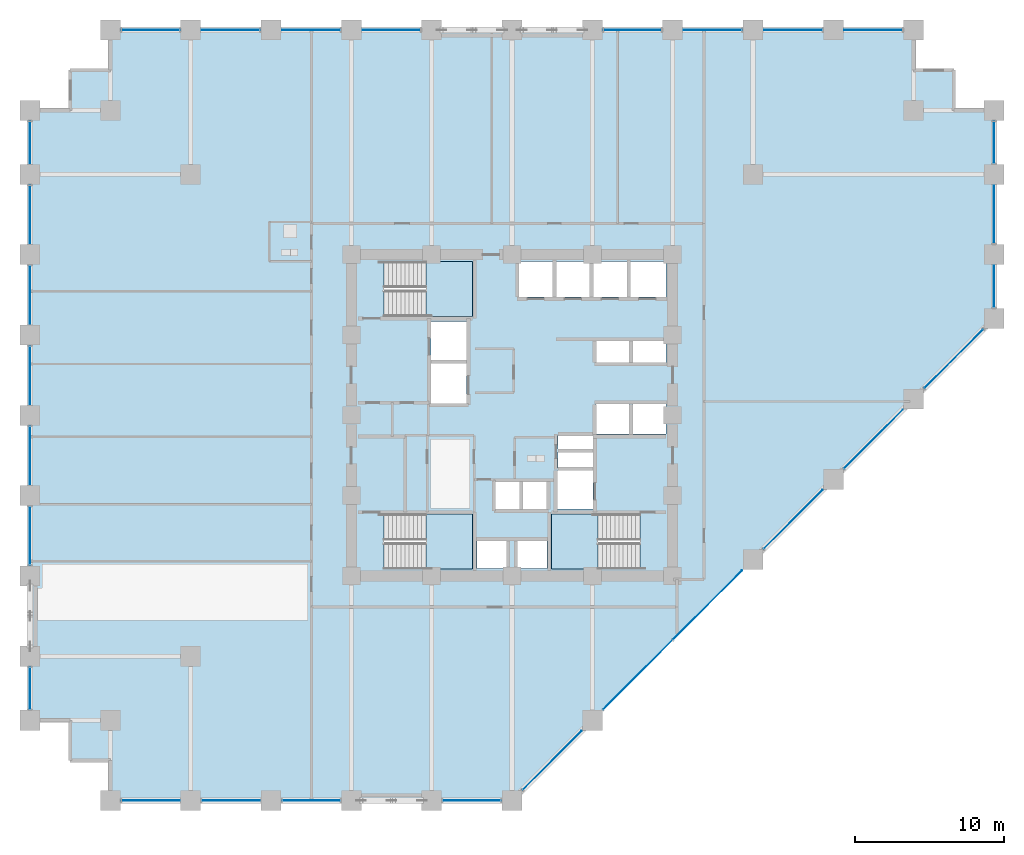
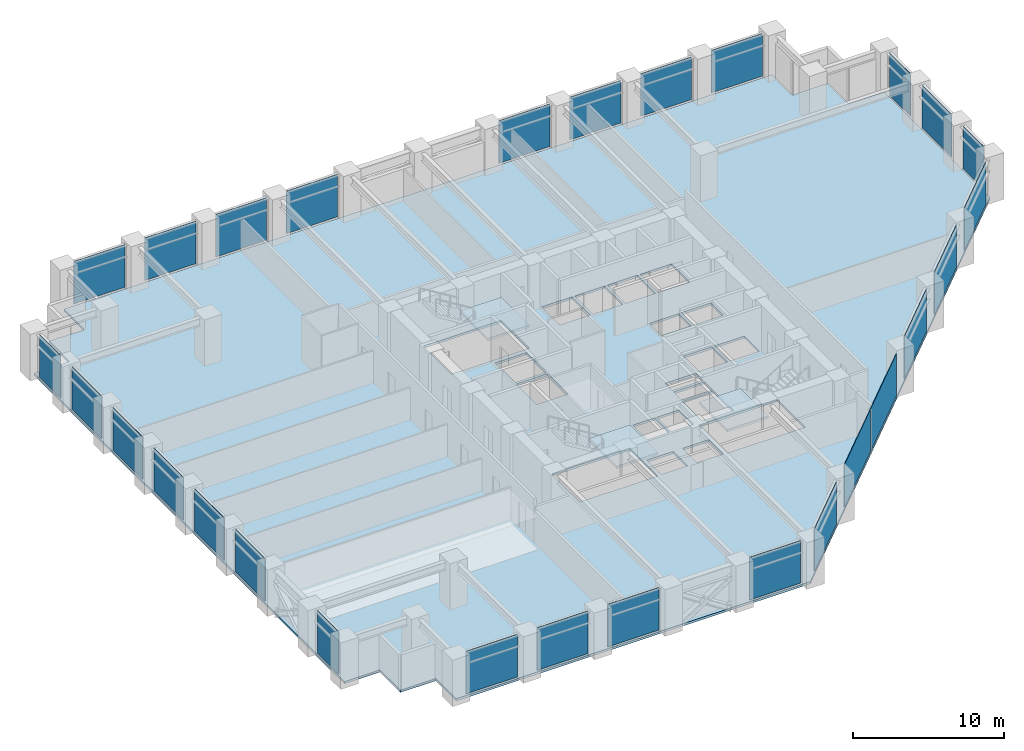
# One storey, part 18 of 25: 28 plates, 4 slabs, 11 elements without a shape of their own.
"""IFC4 building model written with IfcOpenShell, lengths in metres."""

from ifc_helpers import new_model, si_unit, direction, frame, frame_2d, origin, place, context, subcontext, project, spatial, polyline, rectangle, outline, extrude, material, layer, layer_set, type_object, element, aggregate, save


model = new_model("IFC4")

# Units and contexts
model_context = context("Model", 3, precision=1e-05, world=origin(), true_north=direction((0.0, 1.0)))
body_context = subcontext(model_context, "Body", "Model", "MODEL_VIEW")
ifc_project = project(units=[si_unit("LENGTHUNIT", "METRE"), si_unit("AREAUNIT", "SQUARE_METRE"), si_unit("VOLUMEUNIT", "CUBIC_METRE"), si_unit("PLANEANGLEUNIT", "RADIAN"), si_unit("MASSUNIT", "GRAM", prefix="KILO")], contexts=[model_context])

# Site, building, storey
site_placement = place(None, origin())
site = spatial("IfcSite", under=ifc_project, at=site_placement, CompositionType="ELEMENT")
building_placement = place(site_placement, origin())
building = spatial("IfcBuilding", under=site, at=building_placement, Name="Surkhivell Harbour Commons", CompositionType="ELEMENT")
storey_placement = place(building_placement, frame((0.0, 0.0, 33.75)))
storey = spatial("IfcBuildingStorey", under=building, at=storey_placement, Name="L08", CompositionType="ELEMENT", Elevation=33.75)

# Curtain wall, plates
ifc_material_1 = material(Name="Anodised pale-metal aluminium and insulated glazing", Category="aluminium")
ifc_layer_1 = layer(ifc_material_1, 0.219970703125)
ifc_layer_set_1 = layer_set([ifc_layer_1], Name="Anodised pale-metal aluminium and insulated glazing")
curtain_wall_type = type_object("IfcCurtainWallType", Name="CW-SYS-Z1", PredefinedType="NOTDEFINED", material=ifc_layer_set_1)
curtain_wall_1_placement = place(storey_placement, origin())
curtain_wall_1 = element("IfcCurtainWall", 1, at=curtain_wall_1_placement, inside=storey, type_object=curtain_wall_type, Name="L08 Curtain Wall CW-L08-E00S1", PredefinedType="NOTDEFINED")
ifc_material_2 = material(Name="Double-silver low-E laminated vision glass", Category="glass")
ifc_layer_2 = layer(ifc_material_2, 0.031982421875)
ifc_layer_set_2 = layer_set([ifc_layer_2], Name="Double-silver low-E laminated vision glass")
plate_type = type_object("IfcPlateType", Name="CWP-GLZ-32", PredefinedType="CURTAIN_PANEL", material=ifc_layer_set_2)
plate_1_placement = place(storey_placement, frame((-26.248046875, -25.89990234375, 0.14990234375), z_axis=(0.0, 0.0, 1.0), x_axis=(1.0, 0.0, 0.0)))
plate_1 = element("IfcPlate", 2, at=plate_1_placement, type_object=plate_type, Name="CW-Z1 panel 1.1", PredefinedType="CURTAIN_PANEL", context=body_context, shape_type="SweptSolid", body=[
    extrude(rectangle(XDim=3.89599609375, YDim=0.031982421875, at=frame_2d((1.947998046875, 0.0))), origin(), (0.0, 0.0, 1.0), 3.420166015625),
])
plate_2_placement = place(storey_placement, frame((-20.847900390625, -25.89990234375, 0.14990234375), z_axis=(0.0, 0.0, 1.0), x_axis=(1.0, 0.0, 0.0)))
plate_2 = element("IfcPlate", 3, at=plate_2_placement, type_object=plate_type, Name="CW-Z1 panel 2.1", PredefinedType="CURTAIN_PANEL", context=body_context, shape_type="SweptSolid", body=[
    extrude(rectangle(XDim=3.89599609375, YDim=0.031982421875, at=frame_2d((1.947998046875, 0.0))), origin(), (0.0, 0.0, 1.0), 3.420166015625),
])
plate_3_placement = place(storey_placement, frame((-15.447998046875, -25.89990234375, 0.14990234375), z_axis=(0.0, 0.0, 1.0), x_axis=(1.0, 0.0, 0.0)))
plate_3 = element("IfcPlate", 4, at=plate_3_placement, type_object=plate_type, Name="CW-Z1 panel 3.1", PredefinedType="CURTAIN_PANEL", context=body_context, shape_type="SweptSolid", body=[
    extrude(rectangle(XDim=3.89599609375, YDim=0.031982421875, at=frame_2d((1.947998046875, 0.0))), origin(), (0.0, 0.0, 1.0), 3.420166015625),
])
aggregate(curtain_wall_1, [plate_1, plate_2, plate_3])

# Curtain wall, plate
curtain_wall_2_placement = place(storey_placement, origin())
curtain_wall_2 = element("IfcCurtainWall", 5, at=curtain_wall_2_placement, inside=storey, type_object=curtain_wall_type, Name="L08 Curtain Wall CW-L08-E00S2", PredefinedType="NOTDEFINED")
plate_4_placement = place(storey_placement, frame((-4.64794921875, -25.89990234375, 0.14990234375), z_axis=(0.0, 0.0, 1.0), x_axis=(1.0, 0.0, 0.0)))
plate_4 = element("IfcPlate", 6, at=plate_4_placement, type_object=plate_type, Name="CW-Z1 panel 1.1", PredefinedType="CURTAIN_PANEL", context=body_context, shape_type="SweptSolid", body=[
    extrude(rectangle(XDim=3.89599609375, YDim=0.031982421875, at=frame_2d((1.947998046875, 0.0))), origin(), (0.0, 0.0, 1.0), 3.420166015625),
])
aggregate(curtain_wall_2, [plate_4])

# Curtain wall, plates
curtain_wall_3_placement = place(storey_placement, origin())
curtain_wall_3 = element("IfcCurtainWall", 7, at=curtain_wall_3_placement, inside=storey, type_object=curtain_wall_type, Name="L08 Curtain Wall CW-L08-E01", PredefinedType="NOTDEFINED")
plate_5_placement = place(storey_placement, frame((0.729736328125, -25.170166015625, 0.14990234375), z_axis=(0.0, 0.0, 1.0), x_axis=(0.707106781187, 0.707106781187, 0.0)))
plate_5 = element("IfcPlate", 8, at=plate_5_placement, type_object=plate_type, Name="CW-Z1 panel 1.1", PredefinedType="CURTAIN_PANEL", context=body_context, shape_type="SweptSolid", body=[
    extrude(rectangle(XDim=5.572509765625, YDim=0.031982421875, at=frame_2d((2.7861328125, 0.0))), origin(), (0.0, 0.0, 1.0), 3.420166015625),
])
plate_6_placement = place(storey_placement, frame((6.1298828125, -19.770263671875, 0.14990234375), z_axis=(0.0, 0.0, 1.0), x_axis=(0.707088192925, 0.70712536896, 0.0)))
plate_6 = element("IfcPlate", 9, at=plate_6_placement, type_object=plate_type, Name="CW-Z1 panel 2.1", PredefinedType="CURTAIN_PANEL", context=body_context, shape_type="SweptSolid", body=[
    extrude(rectangle(XDim=6.567138671875, YDim=0.031982421875, at=frame_2d((3.28369140625, 0.0))), origin(), (0.0, 0.0, 1.0), 3.420166015625),
])
plate_7_placement = place(storey_placement, frame((10.826416015625, -15.073486328125, 0.14990234375), z_axis=(0.0, 0.0, 1.0), x_axis=(0.70712536896, 0.707088192925, 0.0)))
plate_7 = element("IfcPlate", 10, at=plate_7_placement, type_object=plate_type, Name="CW-Z1 panel 3.1", PredefinedType="CURTAIN_PANEL", context=body_context, shape_type="SweptSolid", body=[
    extrude(rectangle(XDim=6.567138671875, YDim=0.031982421875, at=frame_2d((3.28369140625, 0.0))), origin(), (0.0, 0.0, 1.0), 3.420166015625),
])
plate_8_placement = place(storey_placement, frame((16.929931640625, -8.97021484375, 0.14990234375), z_axis=(0.0, 0.0, 1.0), x_axis=(0.707084874754, 0.70712868694, 0.0)))
plate_8 = element("IfcPlate", 11, at=plate_8_placement, type_object=plate_type, Name="CW-Z1 panel 4.1", PredefinedType="CURTAIN_PANEL", context=body_context, shape_type="SweptSolid", body=[
    extrude(rectangle(XDim=5.572509765625, YDim=0.031982421875, at=frame_2d((2.7861328125, 0.0))), origin(), (0.0, 0.0, 1.0), 3.420166015625),
])
plate_9_placement = place(storey_placement, frame((22.329833984375, -3.570068359375, 0.14990234375), z_axis=(0.0, 0.0, 1.0), x_axis=(0.70712868694, 0.707084874754, 0.0)))
plate_9 = element("IfcPlate", 12, at=plate_9_placement, type_object=plate_type, Name="CW-Z1 panel 5.1", PredefinedType="CURTAIN_PANEL", context=body_context, shape_type="SweptSolid", body=[
    extrude(rectangle(XDim=5.572509765625, YDim=0.031982421875, at=frame_2d((2.7861328125, 0.0))), origin(), (0.0, 0.0, 1.0), 3.420166015625),
])
plate_10_placement = place(storey_placement, frame((27.729736328125, 1.829833984375, 0.14990234375), z_axis=(0.0, 0.0, 1.0), x_axis=(0.707106781187, 0.707106781187, 0.0)))
plate_10 = element("IfcPlate", 13, at=plate_10_placement, type_object=plate_type, Name="CW-Z1 panel 6.1", PredefinedType="CURTAIN_PANEL", context=body_context, shape_type="SweptSolid", body=[
    extrude(rectangle(XDim=5.572509765625, YDim=0.031982421875, at=frame_2d((2.7861328125, 0.0))), origin(), (0.0, 0.0, 1.0), 3.420166015625),
])
aggregate(curtain_wall_3, [plate_5, plate_6, plate_7, plate_8, plate_9, plate_10])

curtain_wall_4_placement = place(storey_placement, origin())
curtain_wall_4 = element("IfcCurtainWall", 14, at=curtain_wall_4_placement, inside=storey, type_object=curtain_wall_type, Name="L08 Curtain Wall CW-L08-E02", PredefinedType="NOTDEFINED")
plate_11_placement = place(storey_placement, frame((32.39990234375, 7.251953125, 0.14990234375), z_axis=(0.0, 0.0, 1.0), x_axis=(0.0, 1.0, 0.0)))
plate_11 = element("IfcPlate", 15, at=plate_11_placement, type_object=plate_type, Name="CW-Z1 panel 1.1", PredefinedType="CURTAIN_PANEL", context=body_context, shape_type="SweptSolid", body=[
    extrude(rectangle(XDim=2.796142578125, YDim=0.031982421875, at=frame_2d((1.39794921875, 0.0))), origin(), (0.0, 0.0, 1.0), 3.420166015625),
])
plate_12_placement = place(storey_placement, frame((32.39990234375, 11.552001953125, 0.14990234375), z_axis=(0.0, 0.0, 1.0), x_axis=(0.0, 1.0, 0.0)))
plate_12 = element("IfcPlate", 16, at=plate_12_placement, type_object=plate_type, Name="CW-Z1 panel 2.1", PredefinedType="CURTAIN_PANEL", context=body_context, shape_type="SweptSolid", body=[
    extrude(rectangle(XDim=3.89599609375, YDim=0.031982421875, at=frame_2d((1.947998046875, 0.0))), origin(), (0.0, 0.0, 1.0), 3.420166015625),
])
plate_13_placement = place(storey_placement, frame((32.39990234375, 16.951904296875, 0.14990234375), z_axis=(0.0, 0.0, 1.0), x_axis=(0.0, 1.0, 0.0)))
plate_13 = element("IfcPlate", 17, at=plate_13_placement, type_object=plate_type, Name="CW-Z1 panel 3.1", PredefinedType="CURTAIN_PANEL", context=body_context, shape_type="SweptSolid", body=[
    extrude(rectangle(XDim=2.796142578125, YDim=0.031982421875, at=frame_2d((1.39794921875, 0.0))), origin(), (0.0, 0.0, 1.0), 3.420166015625),
])
aggregate(curtain_wall_4, [plate_11, plate_12, plate_13])

curtain_wall_5_placement = place(storey_placement, origin())
curtain_wall_5 = element("IfcCurtainWall", 18, at=curtain_wall_5_placement, inside=storey, type_object=curtain_wall_type, Name="L08 Curtain Wall CW-L08-E07S1", PredefinedType="NOTDEFINED")
plate_14_placement = place(storey_placement, frame((26.248046875, 25.89990234375, 0.14990234375), z_axis=(0.0, 0.0, 1.0), x_axis=(-1.0, 0.0, 0.0)))
plate_14 = element("IfcPlate", 19, at=plate_14_placement, type_object=plate_type, Name="CW-Z1 panel 1.1", PredefinedType="CURTAIN_PANEL", context=body_context, shape_type="SweptSolid", body=[
    extrude(rectangle(XDim=3.89599609375, YDim=0.031982421875, at=frame_2d((1.947998046875, 0.0))), origin(), (0.0, 0.0, 1.0), 3.420166015625),
])
plate_15_placement = place(storey_placement, frame((20.847900390625, 25.89990234375, 0.14990234375), z_axis=(0.0, 0.0, 1.0), x_axis=(-1.0, 0.0, 0.0)))
plate_15 = element("IfcPlate", 20, at=plate_15_placement, type_object=plate_type, Name="CW-Z1 panel 2.1", PredefinedType="CURTAIN_PANEL", context=body_context, shape_type="SweptSolid", body=[
    extrude(rectangle(XDim=3.89599609375, YDim=0.031982421875, at=frame_2d((1.947998046875, 0.0))), origin(), (0.0, 0.0, 1.0), 3.420166015625),
])
plate_16_placement = place(storey_placement, frame((15.447998046875, 25.89990234375, 0.14990234375), z_axis=(0.0, 0.0, 1.0), x_axis=(-1.0, 0.0, 0.0)))
plate_16 = element("IfcPlate", 21, at=plate_16_placement, type_object=plate_type, Name="CW-Z1 panel 3.1", PredefinedType="CURTAIN_PANEL", context=body_context, shape_type="SweptSolid", body=[
    extrude(rectangle(XDim=3.89599609375, YDim=0.031982421875, at=frame_2d((1.947998046875, 0.0))), origin(), (0.0, 0.0, 1.0), 3.420166015625),
])
plate_17_placement = place(storey_placement, frame((10.048095703125, 25.89990234375, 0.14990234375), z_axis=(0.0, 0.0, 1.0), x_axis=(-1.0, 0.0, 0.0)))
plate_17 = element("IfcPlate", 22, at=plate_17_placement, type_object=plate_type, Name="CW-Z1 panel 4.1", PredefinedType="CURTAIN_PANEL", context=body_context, shape_type="SweptSolid", body=[
    extrude(rectangle(XDim=3.89599609375, YDim=0.031982421875, at=frame_2d((1.947998046875, 0.0))), origin(), (0.0, 0.0, 1.0), 3.420166015625),
])
aggregate(curtain_wall_5, [plate_14, plate_15, plate_16, plate_17])

curtain_wall_6_placement = place(storey_placement, origin())
curtain_wall_6 = element("IfcCurtainWall", 23, at=curtain_wall_6_placement, inside=storey, type_object=curtain_wall_type, Name="L08 Curtain Wall CW-L08-E07S2", PredefinedType="NOTDEFINED")
plate_18_placement = place(storey_placement, frame((-6.152099609375, 25.89990234375, 0.14990234375), z_axis=(0.0, 0.0, 1.0), x_axis=(-1.0, 0.0, 0.0)))
plate_18 = element("IfcPlate", 24, at=plate_18_placement, type_object=plate_type, Name="CW-Z1 panel 1.1", PredefinedType="CURTAIN_PANEL", context=body_context, shape_type="SweptSolid", body=[
    extrude(rectangle(XDim=3.89599609375, YDim=0.031982421875, at=frame_2d((1.947998046875, 0.0))), origin(), (0.0, 0.0, 1.0), 3.420166015625),
])
plate_19_placement = place(storey_placement, frame((-11.552001953125, 25.89990234375, 0.14990234375), z_axis=(0.0, 0.0, 1.0), x_axis=(-1.0, 0.0, 0.0)))
plate_19 = element("IfcPlate", 25, at=plate_19_placement, type_object=plate_type, Name="CW-Z1 panel 2.1", PredefinedType="CURTAIN_PANEL", context=body_context, shape_type="SweptSolid", body=[
    extrude(rectangle(XDim=3.89599609375, YDim=0.031982421875, at=frame_2d((1.947998046875, 0.0))), origin(), (0.0, 0.0, 1.0), 3.420166015625),
])
plate_20_placement = place(storey_placement, frame((-16.951904296875, 25.89990234375, 0.14990234375), z_axis=(0.0, 0.0, 1.0), x_axis=(-1.0, 0.0, 0.0)))
plate_20 = element("IfcPlate", 26, at=plate_20_placement, type_object=plate_type, Name="CW-Z1 panel 3.1", PredefinedType="CURTAIN_PANEL", context=body_context, shape_type="SweptSolid", body=[
    extrude(rectangle(XDim=3.89599609375, YDim=0.031982421875, at=frame_2d((1.947998046875, 0.0))), origin(), (0.0, 0.0, 1.0), 3.420166015625),
])
plate_21_placement = place(storey_placement, frame((-22.35205078125, 25.89990234375, 0.14990234375), z_axis=(0.0, 0.0, 1.0), x_axis=(-1.0, 0.0, 0.0)))
plate_21 = element("IfcPlate", 27, at=plate_21_placement, type_object=plate_type, Name="CW-Z1 panel 4.1", PredefinedType="CURTAIN_PANEL", context=body_context, shape_type="SweptSolid", body=[
    extrude(rectangle(XDim=3.89599609375, YDim=0.031982421875, at=frame_2d((1.947998046875, 0.0))), origin(), (0.0, 0.0, 1.0), 3.420166015625),
])
aggregate(curtain_wall_6, [plate_18, plate_19, plate_20, plate_21])

curtain_wall_7_placement = place(storey_placement, origin())
curtain_wall_7 = element("IfcCurtainWall", 28, at=curtain_wall_7_placement, inside=storey, type_object=curtain_wall_type, Name="L08 Curtain Wall CW-L08-E12S1", PredefinedType="NOTDEFINED")
plate_22_placement = place(storey_placement, frame((-32.39990234375, 19.748046875, 0.14990234375), z_axis=(0.0, 0.0, 1.0), x_axis=(0.0, -1.0, 0.0)))
plate_22 = element("IfcPlate", 29, at=plate_22_placement, type_object=plate_type, Name="CW-Z1 panel 1.1", PredefinedType="CURTAIN_PANEL", context=body_context, shape_type="SweptSolid", body=[
    extrude(rectangle(XDim=2.796142578125, YDim=0.031982421875, at=frame_2d((1.39794921875, 0.0))), origin(), (0.0, 0.0, 1.0), 3.420166015625),
])
plate_23_placement = place(storey_placement, frame((-32.39990234375, 15.447998046875, 0.14990234375), z_axis=(0.0, 0.0, 1.0), x_axis=(0.0, -1.0, 0.0)))
plate_23 = element("IfcPlate", 30, at=plate_23_placement, type_object=plate_type, Name="CW-Z1 panel 2.1", PredefinedType="CURTAIN_PANEL", context=body_context, shape_type="SweptSolid", body=[
    extrude(rectangle(XDim=3.89599609375, YDim=0.031982421875, at=frame_2d((1.947998046875, 0.0))), origin(), (0.0, 0.0, 1.0), 3.420166015625),
])
plate_24_placement = place(storey_placement, frame((-32.39990234375, 10.048095703125, 0.14990234375), z_axis=(0.0, 0.0, 1.0), x_axis=(0.0, -1.0, 0.0)))
plate_24 = element("IfcPlate", 31, at=plate_24_placement, type_object=plate_type, Name="CW-Z1 panel 3.1", PredefinedType="CURTAIN_PANEL", context=body_context, shape_type="SweptSolid", body=[
    extrude(rectangle(XDim=3.89599609375, YDim=0.031982421875, at=frame_2d((1.947998046875, 0.0))), origin(), (0.0, 0.0, 1.0), 3.420166015625),
])
plate_25_placement = place(storey_placement, frame((-32.39990234375, 4.64794921875, 0.14990234375), z_axis=(0.0, 0.0, 1.0), x_axis=(0.0, -1.0, 0.0)))
plate_25 = element("IfcPlate", 32, at=plate_25_placement, type_object=plate_type, Name="CW-Z1 panel 4.1", PredefinedType="CURTAIN_PANEL", context=body_context, shape_type="SweptSolid", body=[
    extrude(rectangle(XDim=3.89599609375, YDim=0.031982421875, at=frame_2d((1.947998046875, 0.0))), origin(), (0.0, 0.0, 1.0), 3.420166015625),
])
plate_26_placement = place(storey_placement, frame((-32.39990234375, -0.751953125, 0.14990234375), z_axis=(0.0, 0.0, 1.0), x_axis=(0.0, -1.0, 0.0)))
plate_26 = element("IfcPlate", 33, at=plate_26_placement, type_object=plate_type, Name="CW-Z1 panel 5.1", PredefinedType="CURTAIN_PANEL", context=body_context, shape_type="SweptSolid", body=[
    extrude(rectangle(XDim=3.89599609375, YDim=0.031982421875, at=frame_2d((1.947998046875, 0.0))), origin(), (0.0, 0.0, 1.0), 3.420166015625),
])
plate_27_placement = place(storey_placement, frame((-32.39990234375, -6.152099609375, 0.14990234375), z_axis=(0.0, 0.0, 1.0), x_axis=(0.0, -1.0, 0.0)))
plate_27 = element("IfcPlate", 34, at=plate_27_placement, type_object=plate_type, Name="CW-Z1 panel 6.1", PredefinedType="CURTAIN_PANEL", context=body_context, shape_type="SweptSolid", body=[
    extrude(rectangle(XDim=3.89599609375, YDim=0.031982421875, at=frame_2d((1.947998046875, 0.0))), origin(), (0.0, 0.0, 1.0), 3.420166015625),
])
aggregate(curtain_wall_7, [plate_22, plate_23, plate_24, plate_25, plate_26, plate_27])

# Curtain wall, plate
curtain_wall_8_placement = place(storey_placement, origin())
curtain_wall_8 = element("IfcCurtainWall", 35, at=curtain_wall_8_placement, inside=storey, type_object=curtain_wall_type, Name="L08 Curtain Wall CW-L08-E12S2", PredefinedType="NOTDEFINED")
plate_28_placement = place(storey_placement, frame((-32.39990234375, -16.951904296875, 0.14990234375), z_axis=(0.0, 0.0, 1.0), x_axis=(0.0, -1.0, 0.0)))
plate_28 = element("IfcPlate", 36, at=plate_28_placement, type_object=plate_type, Name="CW-Z1 panel 1.1", PredefinedType="CURTAIN_PANEL", context=body_context, shape_type="SweptSolid", body=[
    extrude(rectangle(XDim=2.796142578125, YDim=0.031982421875, at=frame_2d((1.39794921875, 0.0))), origin(), (0.0, 0.0, 1.0), 3.420166015625),
])
aggregate(curtain_wall_8, [plate_28])

# Stair, slab
ifc_material_3 = material(Name="Precast concrete C45/55", Category="concrete")
stair_type = type_object("IfcStairType", Name="STR-DL-375", PredefinedType="HALF_TURN_STAIR", material=ifc_material_3)
stair_1_placement = place(storey_placement, origin())
stair_1 = element("IfcStair", 37, at=stair_1_placement, inside=storey, type_object=stair_type, Name="L08 Core Exit Stair ST1", PredefinedType="HALF_TURN_STAIR")
ifc_material_4 = material(Name="Reinforced concrete C45/55", Category="concrete")
ifc_layer_3 = layer(ifc_material_4, 0.199951171875)
ifc_layer_set_3 = layer_set([ifc_layer_3], Name="Reinforced concrete C45/55")
slab_type_1 = type_object("IfcSlabType", Name="SLB-ST-LND200", PredefinedType="LANDING", material=ifc_layer_set_3)
slab_1_placement = place(storey_placement, frame((0.0, 0.0, 1.675048828125)))
slab_1 = element("IfcSlab", 38, at=slab_1_placement, type_object=slab_type_1, Name="ST1 landing 1", PredefinedType="LANDING", context=body_context, shape_type="SweptSolid", body=[
    extrude(outline(polyline([(-5.7900390625, 6.639892578125), (-2.639892578125, 6.639892578125), (-2.639892578125, 10.340087890625), (-5.7900390625, 10.340087890625), (-5.7900390625, 6.639892578125)])), origin(), (0.0, 0.0, 1.0), 0.199951171875),
])
aggregate(stair_1, [slab_1])

stair_2_placement = place(storey_placement, origin())
stair_2 = element("IfcStair", 39, at=stair_2_placement, inside=storey, type_object=stair_type, Name="L08 Core Exit Stair ST2", PredefinedType="HALF_TURN_STAIR")
slab_2_placement = place(storey_placement, frame((0.0, 0.0, 1.675048828125)))
slab_2 = element("IfcSlab", 40, at=slab_2_placement, type_object=slab_type_1, Name="ST2 landing 1", PredefinedType="LANDING", context=body_context, shape_type="SweptSolid", body=[
    extrude(outline(polyline([(5.7900390625, -6.639892578125), (2.639892578125, -6.639892578125), (2.639892578125, -10.340087890625), (5.7900390625, -10.340087890625), (5.7900390625, -6.639892578125)])), origin(), (0.0, 0.0, 1.0), 0.199951171875),
])
aggregate(stair_2, [slab_2])

stair_3_placement = place(storey_placement, origin())
stair_3 = element("IfcStair", 41, at=stair_3_placement, inside=storey, type_object=stair_type, Name="L08 Core Exit Stair ST3", PredefinedType="HALF_TURN_STAIR")
slab_3_placement = place(storey_placement, frame((0.0, 0.0, 1.675048828125)))
slab_3 = element("IfcSlab", 42, at=slab_3_placement, type_object=slab_type_1, Name="ST3 landing 1", PredefinedType="LANDING", context=body_context, shape_type="SweptSolid", body=[
    extrude(outline(polyline([(-5.7900390625, -10.340087890625), (-2.639892578125, -10.340087890625), (-2.639892578125, -6.639892578125), (-5.7900390625, -6.639892578125), (-5.7900390625, -10.340087890625)])), origin(), (0.0, 0.0, 1.0), 0.199951171875),
])
aggregate(stair_3, [slab_3])

# Slab
ifc_material_5 = material(Name="Concrete C45/55", Category="concrete")
ifc_layer_4 = layer(ifc_material_5, 0.179931640625)
ifc_layer_set_4 = layer_set([ifc_layer_4], Name="Concrete C45/55")
slab_type_2 = type_object("IfcSlabType", Name="SLB-TYP-180", PredefinedType="FLOOR", material=ifc_layer_set_4)
slab_4_placement = place(storey_placement, frame((0.0, 0.0, -0.179931640625)))
element("IfcSlab", 43, at=slab_4_placement, inside=storey, type_object=slab_type_2, Name="L08 Structural Floor Slab", PredefinedType="FLOOR", context=body_context, shape_type="SweptSolid", body=[
    extrude(outline(polyline([(-27.0, -25.89990234375), (0.0, -25.89990234375), (32.39990234375, 6.5), (32.39990234375, 20.5), (29.699951171875, 20.5), (29.699951171875, 23.199951171875), (27.0, 23.199951171875), (27.0, 25.89990234375), (-27.0, 25.89990234375), (-27.0, 23.199951171875), (-29.699951171875, 23.199951171875), (-29.699951171875, 20.5), (-32.39990234375, 20.5), (-32.39990234375, -20.5), (-29.699951171875, -20.5), (-29.699951171875, -23.199951171875), (-27.0, -23.199951171875), (-27.0, -25.89990234375)]), holes=[polyline([(-8.590087890625, 6.639892578125), (-2.639892578125, 6.639892578125), (-2.639892578125, 10.340087890625), (-8.590087890625, 10.340087890625), (-8.590087890625, 6.639892578125)]), polyline([(8.590087890625, -6.639892578125), (2.639892578125, -6.639892578125), (2.639892578125, -10.340087890625), (8.590087890625, -10.340087890625), (8.590087890625, -6.639892578125)]), polyline([(-8.590087890625, -10.340087890625), (-2.639892578125, -10.340087890625), (-2.639892578125, -6.639892578125), (-8.590087890625, -6.639892578125), (-8.590087890625, -10.340087890625)]), polyline([(0.449951171875, 7.949951171875), (2.75, 7.949951171875), (2.75, 10.35009765625), (0.449951171875, 10.35009765625), (0.449951171875, 7.949951171875)]), polyline([(2.949951171875, 7.949951171875), (5.25, 7.949951171875), (5.25, 10.35009765625), (2.949951171875, 10.35009765625), (2.949951171875, 7.949951171875)]), polyline([(5.449951171875, 7.949951171875), (7.75, 7.949951171875), (7.75, 10.35009765625), (5.449951171875, 10.35009765625), (5.449951171875, 7.949951171875)]), polyline([(7.949951171875, 7.949951171875), (10.35009765625, 7.949951171875), (10.35009765625, 10.35009765625), (7.949951171875, 10.35009765625), (7.949951171875, 7.949951171875)]), polyline([(5.64990234375, 3.550048828125), (7.89990234375, 3.550048828125), (7.89990234375, 5.14990234375), (5.64990234375, 5.14990234375), (5.64990234375, 3.550048828125)]), polyline([(8.10009765625, 3.550048828125), (10.35009765625, 3.550048828125), (10.35009765625, 5.14990234375), (8.10009765625, 5.14990234375), (8.10009765625, 3.550048828125)]), polyline([(5.64990234375, -1.25), (7.89990234375, -1.25), (7.89990234375, 0.75), (5.64990234375, 0.75), (5.64990234375, -1.25)]), polyline([(8.10009765625, -1.25), (10.35009765625, -1.25), (10.35009765625, 0.75), (8.10009765625, 0.75), (8.10009765625, -1.25)]), polyline([(-1.14990234375, -6.35009765625), (0.550048828125, -6.35009765625), (0.550048828125, -4.449951171875), (-1.14990234375, -4.449951171875), (-1.14990234375, -6.35009765625)]), polyline([(0.679931640625, -6.35009765625), (2.3798828125, -6.35009765625), (2.3798828125, -4.449951171875), (0.679931640625, -4.449951171875), (0.679931640625, -6.35009765625)]), polyline([(-2.35009765625, -10.300048828125), (-0.35009765625, -10.300048828125), (-0.35009765625, -8.39990234375), (-2.35009765625, -8.39990234375), (-2.35009765625, -10.300048828125)]), polyline([(0.35009765625, -10.300048828125), (2.35009765625, -10.300048828125), (2.35009765625, -8.39990234375), (0.35009765625, -8.39990234375), (0.35009765625, -10.300048828125)]), polyline([(-5.449951171875, 3.699951171875), (-3.050048828125, 3.699951171875), (-3.050048828125, 6.300048828125), (-5.449951171875, 6.300048828125), (-5.449951171875, 3.699951171875)]), polyline([(3.050048828125, -6.300048828125), (5.449951171875, -6.300048828125), (5.449951171875, -3.699951171875), (3.050048828125, -3.699951171875), (3.050048828125, -6.300048828125)]), polyline([(-5.449951171875, 0.800048828125), (-3.050048828125, 0.800048828125), (-3.050048828125, 3.5), (-5.449951171875, 3.5), (-5.449951171875, 0.800048828125)]), polyline([(3.10009765625, -3.550048828125), (5.449951171875, -3.550048828125), (5.449951171875, -2.47998046875), (3.10009765625, -2.47998046875), (3.10009765625, -3.550048828125)]), polyline([(3.10009765625, -2.280029296875), (5.449951171875, -2.280029296875), (5.449951171875, -1.35009765625), (3.10009765625, -1.35009765625), (3.10009765625, -2.280029296875)])]), origin(), (0.0, 0.0, 1.0), 0.179931640625),
])

save(model, "model.ifc")
